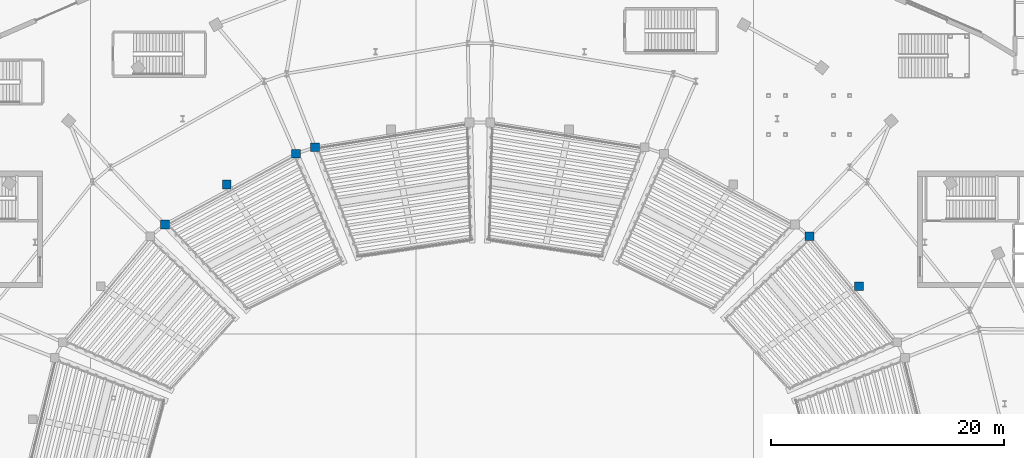
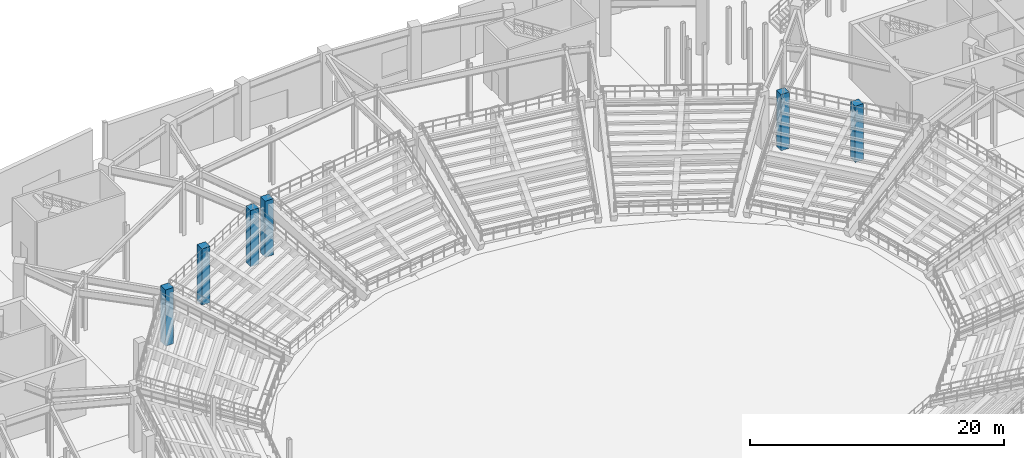
# One storey, part 13 of 79: 6 columns.
"""IFC4 building model written with IfcOpenShell, lengths in metres."""

from ifc_helpers import new_model, si_unit, direction, frame, origin, origin_2d, place, context, subcontext, project, spatial, rectangle, extrude, material, material_profile, profile_set, type_object, element, save


model = new_model("IFC4")

# Units and contexts
model_context = context("Model", 3, precision=1e-05, world=origin(), true_north=direction((0.0, 1.0)))
body_context = subcontext(model_context, "Body", "Model", "MODEL_VIEW")
ifc_project = project(units=[si_unit("LENGTHUNIT", "METRE"), si_unit("AREAUNIT", "SQUARE_METRE"), si_unit("VOLUMEUNIT", "CUBIC_METRE"), si_unit("PLANEANGLEUNIT", "RADIAN"), si_unit("MASSUNIT", "GRAM", prefix="KILO")], contexts=[model_context])

# Site, building, storey
site_placement = place(None, origin())
site = spatial("IfcSite", under=ifc_project, at=site_placement, CompositionType="ELEMENT")
building_placement = place(site_placement, origin())
building = spatial("IfcBuilding", under=site, at=building_placement, Name="Glasvene Arena", CompositionType="ELEMENT")
storey_placement = place(building_placement, origin())
storey = spatial("IfcBuildingStorey", under=building, at=storey_placement, Name="L00", CompositionType="ELEMENT", Elevation=0.0)

# Columns
ifc_material = material(Name="Concrete C40/50", Category="concrete")
ifc_material_profile = material_profile(ifc_material, rectangle(XDim=0.75, YDim=0.75, at=origin_2d()), Name="RC 750x750")
ifc_profile_set = profile_set([ifc_material_profile], Name="Concrete C40/50")
column_type = type_object("IfcColumnType", Name="COL-MID-RC750", PredefinedType="COLUMN", material=ifc_profile_set)
for number, where, z_axis, x_axis, name in (
    (1, (120.34033203125, 94.90087890625, 0.0), (0.0, 0.0, 1.0), (1.0, 0.0, 0.0), "Mid-bowl fulcrum column L00 02-2"),
    (2, (77.82421875, 102.5546875, 0.0), (0.0, 0.0, 1.0), (1.0, 0.0, 0.0), "Mid-bowl fulcrum column L00 05-2"),
    (3, (76.180908203125, 102.004150390625, 0.0), (0.0, 0.0, 1.0), (1.0, 0.0, 0.0), "Mid-bowl fulcrum column L00 06-1"),
    (4, (64.91748046875, 95.918212890625, 0.0), (0.0, 0.0, 1.0), (1.0, 0.0, 0.0), "Mid-bowl fulcrum column L00 06-2"),
    (5, (124.593505859375, 90.611572265625, 0.0), (0.0, 0.0, 1.0), (1.0, 0.0, 0.0), "Mid-sector fulcrum column L00 02"),
    (6, (70.2216796875, 99.357666015625, 0.0), (0.0, 0.0, 1.0), (1.0, 0.0, 0.0), "Mid-sector fulcrum column L00 06"),
):
    element("IfcColumn", number, at=place(storey_placement, frame(where, z_axis=z_axis, x_axis=x_axis)), inside=storey, type_object=column_type, Name=name, PredefinedType="COLUMN", context=body_context, shape_type="SweptSolid", body=[
        extrude(rectangle(XDim=0.75, YDim=0.75, at=origin_2d()), origin(), (0.0, 0.0, 1.0), 5.39990234375),
    ])

save(model, "model.ifc")
